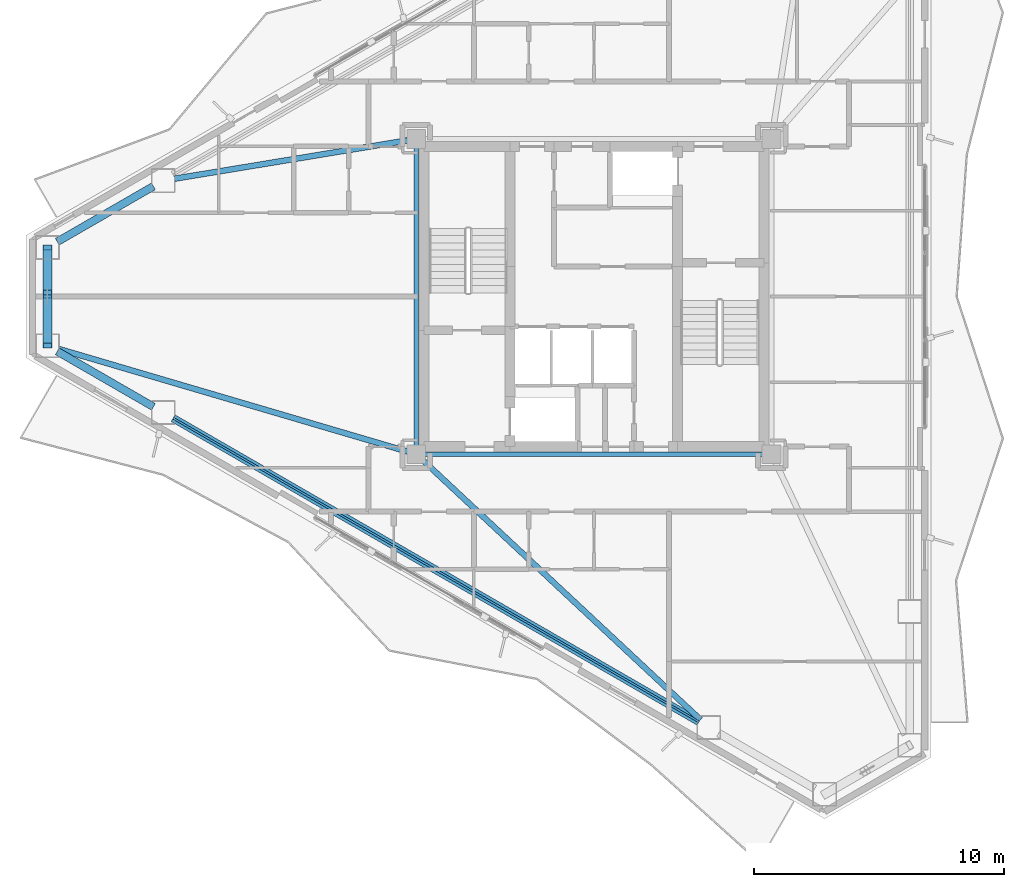
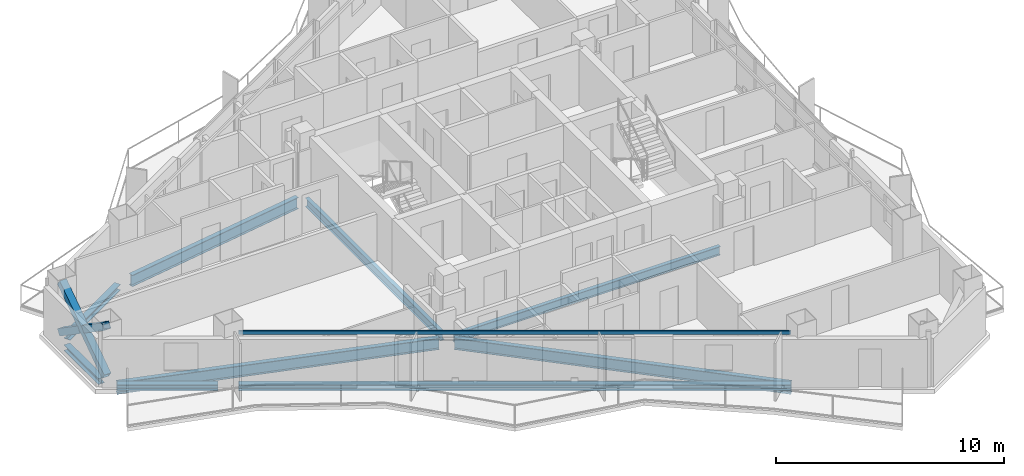
# One storey, part 4 of 18: 10 beams, 3 members.
"""IFC4 building model written with IfcOpenShell, lengths in metres."""

from ifc_helpers import new_model, si_unit, direction, frame, origin, origin_2d, place, context, subcontext, project, spatial, hollow_rectangle, i_section, extrude, material, material_profile, profile_set, type_object, element, save


model = new_model("IFC4")

# Units and contexts
model_context = context("Model", 3, precision=1e-05, world=origin(), true_north=direction((0.0, 1.0)))
body_context = subcontext(model_context, "Body", "Model", "MODEL_VIEW")
ifc_project = project(units=[si_unit("LENGTHUNIT", "METRE"), si_unit("AREAUNIT", "SQUARE_METRE"), si_unit("VOLUMEUNIT", "CUBIC_METRE"), si_unit("PLANEANGLEUNIT", "RADIAN"), si_unit("MASSUNIT", "GRAM", prefix="KILO")], contexts=[model_context])

# Site, building, storey
site_placement = place(None, origin())
site = spatial("IfcSite", under=ifc_project, at=site_placement, CompositionType="ELEMENT")
building_placement = place(site_placement, origin())
building = spatial("IfcBuilding", under=site, at=building_placement, Name="Mersakhor Tower and Convention Hall", CompositionType="ELEMENT")
storey_placement = place(building_placement, frame((0.0, 0.0, 157.5)))
storey = spatial("IfcBuildingStorey", under=building, at=storey_placement, Name="L44", CompositionType="ELEMENT", Elevation=157.5)

# Beams
ifc_material_1 = material(Name="Steel S355", Category="steel")
ifc_material_profile_1 = material_profile(ifc_material_1, i_section(OverallWidth=0.19140625, OverallDepth=0.4599609375, WebThickness=0.010009765625, FlangeThickness=0.01611328125, at=origin_2d()), Name="UB 457x191x82")
ifc_profile_set_1 = profile_set([ifc_material_profile_1], Name="Steel S355")
beam_type_1 = type_object("IfcBeamType", Name="BM-FB-457", PredefinedType="BEAM", material=ifc_profile_set_1)
beam_1_placement = place(storey_placement, frame((21.89990234375, 20.804931640625, -0.469970703125), z_axis=(0.0, 1.0, 0.0), x_axis=(-1.0, 0.0, 0.0)))
element("IfcBeam", 1, at=beam_1_placement, inside=storey, type_object=beam_type_1, Name="L44 Core Ring Tie Beam CRB-1", PredefinedType="BEAM", context=body_context, shape_type="SweptSolid", body=[
    extrude(i_section(OverallWidth=0.19140625, OverallDepth=0.4599609375, WebThickness=0.010009765625, FlangeThickness=0.01611328125, at=origin_2d()), origin(), (0.0, 0.0, 1.0), 11.89013671875),
])
beam_2_placement = place(storey_placement, frame((35.7451171875, 20.449951171875, -0.469970703125), z_axis=(-1.0, 0.0, 0.0), x_axis=(0.0, -1.0, 0.0)))
element("IfcBeam", 2, at=beam_2_placement, inside=storey, type_object=beam_type_1, Name="L44 Core Ring Tie Beam CRB-4", PredefinedType="BEAM", context=body_context, shape_type="SweptSolid", body=[
    extrude(i_section(OverallWidth=0.19140625, OverallDepth=0.4599609375, WebThickness=0.010009765625, FlangeThickness=0.01611328125, at=origin_2d()), origin(), (0.0, 0.0, 1.0), 13.490234375),
])
ifc_material_2 = material(Name="Steel S355", Category="steel")
ifc_material_profile_2 = material_profile(ifc_material_2, hollow_rectangle(XDim=0.080078125, YDim=0.179931640625, WallThickness=0.008056640625, at=origin_2d()), Name="RHS 180x80x8")
ifc_profile_set_2 = profile_set([ifc_material_profile_2], Name="Steel S355")
beam_type_2 = type_object("IfcBeamType", Name="BM-GRT-RHS180", PredefinedType="USERDEFINED", material=ifc_profile_set_2)
beam_3_placement = place(storey_placement, frame((33.198486328125, 9.754638671875, 2.47998046875), z_axis=(-0.866027433267, 0.499996484816, 0.0), x_axis=(-0.499996484816, -0.866027433267, 0.0)))
element("IfcBeam", 3, at=beam_3_placement, inside=storey, type_object=beam_type_2, Name="L44 Facade Support Girt GRT-F3", ObjectType="GIRT", PredefinedType="USERDEFINED", context=body_context, shape_type="SweptSolid", body=[
    extrude(hollow_rectangle(XDim=0.080078125, YDim=0.179931640625, WallThickness=0.008056640625, at=origin_2d()), origin(), (0.0, 0.0, 1.0), 24.267333984375),
])
ifc_material_3 = material(Name="Steel S355", Category="steel")
ifc_material_profile_3 = material_profile(ifc_material_3, i_section(OverallWidth=0.22900390625, OverallDepth=0.6123046875, WebThickness=0.011962890625, FlangeThickness=0.01953125, at=origin_2d()), Name="UB 610x229x125")
ifc_profile_set_3 = profile_set([ifc_material_profile_3], Name="Steel S355")
beam_type_3 = type_object("IfcBeamType", Name="BM-PR-610", PredefinedType="BEAM", material=ifc_profile_set_3)
beam_4_placement = place(storey_placement, frame((21.5498046875, 32.9921875, -0.546142578125), z_axis=(-0.986703962282, -0.162527815515, 0.0), x_axis=(0.162527815515, -0.986703962282, 0.0)))
element("IfcBeam", 4, at=beam_4_placement, inside=storey, type_object=beam_type_3, Name="L44 Primary Floor Girder FG-1", PredefinedType="BEAM", context=body_context, shape_type="SweptSolid", body=[
    extrude(i_section(OverallWidth=0.22900390625, OverallDepth=0.6123046875, WebThickness=0.011962890625, FlangeThickness=0.01953125, at=origin_2d()), origin(), (0.0, 0.0, 1.0), 9.43798828125),
])
beam_5_placement = place(storey_placement, frame((22.159423828125, 20.207763671875, -0.546142578125), z_axis=(0.730740936679, -0.682654878736, 0.0), x_axis=(0.682654878736, 0.730740936679, 0.0)))
element("IfcBeam", 5, at=beam_5_placement, inside=storey, type_object=beam_type_3, Name="L44 Primary Floor Girder FG-5", PredefinedType="BEAM", context=body_context, shape_type="SweptSolid", body=[
    extrude(i_section(OverallWidth=0.22900390625, OverallDepth=0.6123046875, WebThickness=0.011962890625, FlangeThickness=0.01953125, at=origin_2d()), origin(), (0.0, 0.0, 1.0), 15.19091796875),
])
beam_6_placement = place(storey_placement, frame((21.559326171875, 20.55029296875, -0.546142578125), z_axis=(-0.959324090351, 0.282307083992, 0.0), x_axis=(-0.282307083992, -0.959324090351, 0.0)))
element("IfcBeam", 6, at=beam_6_placement, inside=storey, type_object=beam_type_3, Name="L44 Primary Floor Girder FG-6", PredefinedType="BEAM", context=body_context, shape_type="SweptSolid", body=[
    extrude(i_section(OverallWidth=0.22900390625, OverallDepth=0.6123046875, WebThickness=0.011962890625, FlangeThickness=0.01953125, at=origin_2d()), origin(), (0.0, 0.0, 1.0), 14.5546875),
])
ifc_material_4 = material(Name="Steel S355", Category="steel")
ifc_material_profile_4 = material_profile(ifc_material_4, i_section(OverallWidth=0.30908203125, OverallDepth=0.320556640625, WebThickness=0.013916015625, FlangeThickness=0.021728515625, at=origin_2d()), Name="UC 305x305x137")
ifc_profile_set_4 = profile_set([ifc_material_profile_4], Name="Steel S355")
beam_type_4 = type_object("IfcBeamType", Name="BM-SPD-UC305", PredefinedType="SPANDREL", material=ifc_profile_set_4)
beam_7_placement = place(storey_placement, frame((7.55419921875, 28.939697265625, -0.400146484375), z_axis=(0.866028798401, 0.499994120305, 0.0), x_axis=(-0.499994120305, 0.866028798401, 0.0)))
element("IfcBeam", 7, at=beam_7_placement, inside=storey, type_object=beam_type_4, Name="L44 Perimeter Spandrel Beam SPB-01", PredefinedType="SPANDREL", context=body_context, shape_type="SweptSolid", body=[
    extrude(i_section(OverallWidth=0.30908203125, OverallDepth=0.320556640625, WebThickness=0.013916015625, FlangeThickness=0.021728515625, at=origin_2d()), origin(), (0.0, 0.0, 1.0), 4.43408203125),
])
beam_8_placement = place(storey_placement, frame((33.198486328125, 9.754638671875, -0.400146484375), z_axis=(-0.866027433267, 0.499996484816, 0.0), x_axis=(-0.499996484816, -0.866027433267, 0.0)))
element("IfcBeam", 8, at=beam_8_placement, inside=storey, type_object=beam_type_4, Name="L44 Perimeter Spandrel Beam SPB-10", PredefinedType="SPANDREL", context=body_context, shape_type="SweptSolid", body=[
    extrude(i_section(OverallWidth=0.30908203125, OverallDepth=0.320556640625, WebThickness=0.013916015625, FlangeThickness=0.021728515625, at=origin_2d()), origin(), (0.0, 0.0, 1.0), 24.267333984375),
])
beam_9_placement = place(storey_placement, frame((11.394287109375, 22.34326171875, -0.400146484375), z_axis=(-0.866028798401, 0.499994120305, 0.0), x_axis=(-0.499994120305, -0.866028798401, 0.0)))
element("IfcBeam", 9, at=beam_9_placement, inside=storey, type_object=beam_type_4, Name="L44 Perimeter Spandrel Beam SPB-11", PredefinedType="SPANDREL", context=body_context, shape_type="SweptSolid", body=[
    extrude(i_section(OverallWidth=0.30908203125, OverallDepth=0.320556640625, WebThickness=0.013916015625, FlangeThickness=0.021728515625, at=origin_2d()), origin(), (0.0, 0.0, 1.0), 4.43408203125),
])
beam_10_placement = place(storey_placement, frame((7.160400390625, 25.24267578125, -0.400146484375), z_axis=(0.0, 1.0, 0.0), x_axis=(-1.0, 0.0, 0.0)))
element("IfcBeam", 10, at=beam_10_placement, inside=storey, type_object=beam_type_4, Name="L44 Perimeter Spandrel Beam SPB-12", PredefinedType="SPANDREL", context=body_context, shape_type="SweptSolid", body=[
    extrude(i_section(OverallWidth=0.30908203125, OverallDepth=0.320556640625, WebThickness=0.013916015625, FlangeThickness=0.021728515625, at=origin_2d()), origin(), (0.0, 0.0, 1.0), 3.0146484375),
])

# Members
ifc_material_5 = material(Name="Steel S460", Category="steel")
ifc_material_profile_5 = material_profile(ifc_material_5, hollow_rectangle(XDim=0.35009765625, YDim=0.35009765625, WallThickness=0.02001953125, at=origin_2d()), Name="SHS 350x350x20")
ifc_profile_set_5 = profile_set([ifc_material_profile_5], Name="Steel S460")
member_type = type_object("IfcMemberType", Name="MB-BRC-SHS350", PredefinedType="BRACE", material=ifc_profile_set_5)
member_placement = place(storey_placement, frame((7.160400390625, 24.78759765625, 0.14990234375), z_axis=(0.0, 0.825818486752, 0.56393601316), x_axis=(-1.0, 0.0, 0.0)))
element("IfcMember", 11, at=member_placement, inside=storey, type_object=member_type, Name="L44 Chamfer Braced Frame Diagonal CB-3A", PredefinedType="BRACE", context=body_context, shape_type="SweptSolid", body=[
    extrude(hollow_rectangle(XDim=0.35009765625, YDim=0.35009765625, WallThickness=0.02001953125, at=origin_2d()), origin(), (0.0, 0.0, 1.0), 4.752685546875),
])
for number, where, z_axis, x_axis, name in (
    (12, (7.160400390625, 28.71240234375, 0.14990234375), (0.0, -0.825831507498, 0.563916945324), (1.0, 0.0, 0.0), "L44 Chamfer Braced Frame Diagonal CB-3B Lower Half"),
    (13, (7.160400390625, 26.588134765625, 1.6005859375), (0.0, -0.825831507498, 0.563916945324), (1.0, 0.0, 0.0), "L44 Chamfer Braced Frame Diagonal CB-3B Upper Half"),
):
    element("IfcMember", number, at=place(storey_placement, frame(where, z_axis=z_axis, x_axis=x_axis)), inside=storey, type_object=member_type, Name=name, PredefinedType="BRACE", context=body_context, shape_type="SweptSolid", body=[
        extrude(hollow_rectangle(XDim=0.35009765625, YDim=0.35009765625, WallThickness=0.02001953125, at=origin_2d()), origin(), (0.0, 0.0, 1.0), 2.18017578125),
    ])

save(model, "model.ifc")
